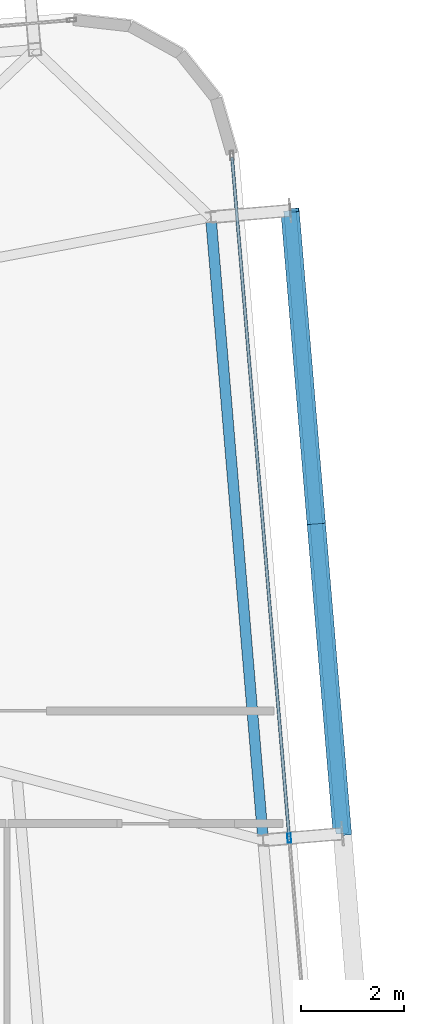
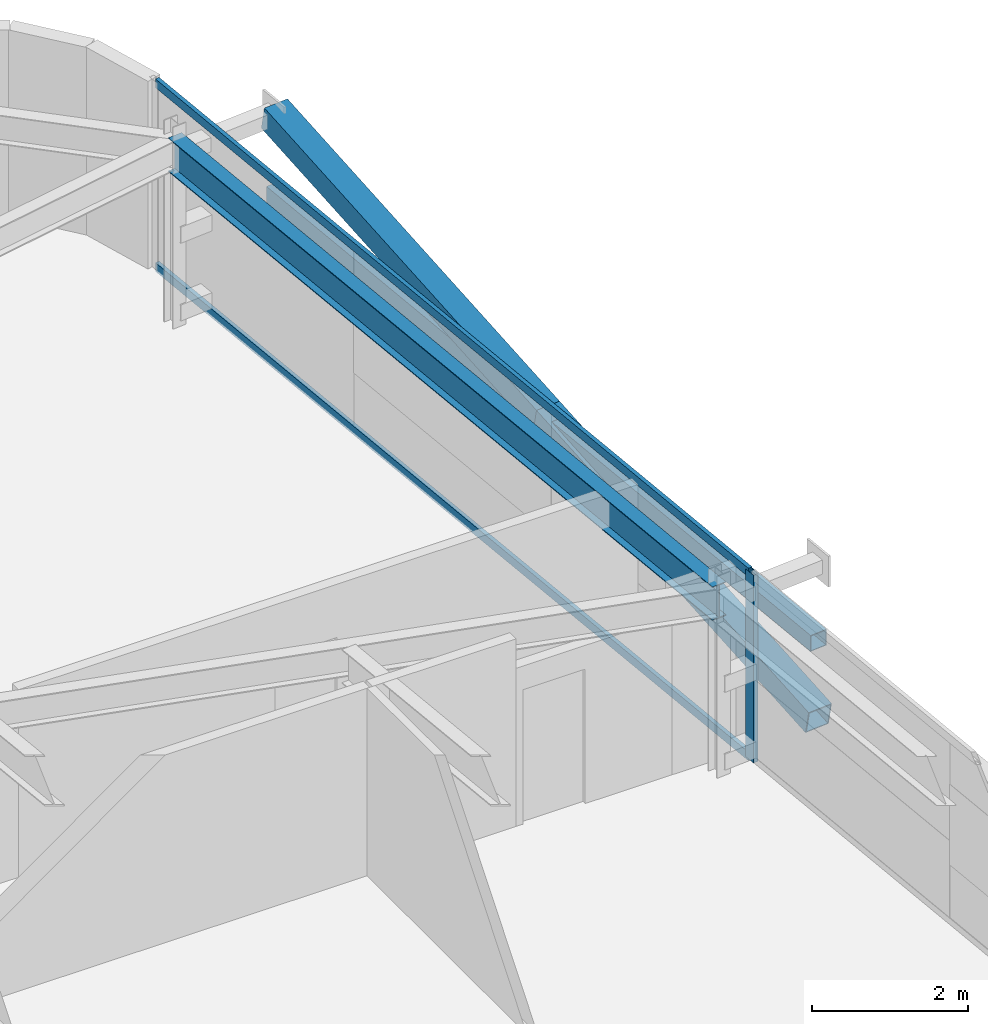
# One storey, part 20 of 37: 6 members, 1 beam, 1 element without a shape of its own.
"""IFC4 building model written with IfcOpenShell, lengths in metres."""

from ifc_helpers import new_model, si_unit, direction, frame, origin, origin_2d, place, context, subcontext, project, spatial, hollow_rectangle, i_section, extrude, source, transform, mapped, material, layer, layer_set, material_profile, profile_set, type_object, element, aggregate, save


model = new_model("IFC4")

# Units and contexts
model_context = context("Model", 3, precision=1e-05, world=origin(), true_north=direction((0.0, 1.0)))
body_context = subcontext(model_context, "Body", "Model", "MODEL_VIEW")
ifc_project = project(units=[si_unit("LENGTHUNIT", "METRE"), si_unit("AREAUNIT", "SQUARE_METRE"), si_unit("VOLUMEUNIT", "CUBIC_METRE"), si_unit("PLANEANGLEUNIT", "RADIAN"), si_unit("MASSUNIT", "GRAM", prefix="KILO")], contexts=[model_context])

# Site, building, storey
site_placement = place(None, origin())
site = spatial("IfcSite", under=ifc_project, at=site_placement, CompositionType="ELEMENT")
building_placement = place(site_placement, origin())
building = spatial("IfcBuilding", under=site, at=building_placement, Name="Taldren Reach Tower", CompositionType="ELEMENT")
storey_placement = place(building_placement, frame((0.0, 0.0, 182.0)))
storey = spatial("IfcBuildingStorey", under=building, at=storey_placement, Name="L55", CompositionType="ELEMENT", Elevation=182.0)

# Beam
ifc_material_1 = material(Name="Steel Gr 350 (350PLUS)", Category="steel")
ifc_material_profile_1 = material_profile(ifc_material_1, i_section(OverallWidth=0.208984375, OverallDepth=0.528076171875, WebThickness=0.009521484375, FlangeThickness=0.01318359375, at=origin_2d()), Name="530UB82.0")
ifc_profile_set_1 = profile_set([ifc_material_profile_1], Name="Steel Gr 350 (350PLUS)")
beam_type = type_object("IfcBeamType", Name="SP-UB530B", PredefinedType="SPANDREL", material=ifc_profile_set_1)
shared_shape_1 = source(origin(), body_context, "Body", "SweptSolid", [
    extrude(i_section(OverallWidth=0.208984375, OverallDepth=0.528076171875, WebThickness=0.009521484375, FlangeThickness=0.01318359375, at=origin_2d()), origin(), (0.0, 0.0, 1.0), 12.199951171875),
])
beam_placement = place(storey_placement, frame((60.6171875, 21.474853515625, 2.666015625), z_axis=(-0.083668166953, 0.99649367175, 0.0), x_axis=(-0.99649367175, -0.083668166953, 0.0)))
element("IfcBeam", 1, at=beam_placement, inside=storey, type_object=beam_type, Name="Perimeter spandrel B4 E2-E3 L55", PredefinedType="SPANDREL", context=body_context, shape_type="MappedRepresentation", body=[
    mapped(shared_shape_1, transform((0.0, 0.0, 0.0), scale=1.0)),
])

# Members
ifc_material_2 = material(Name="Steel Gr 350 (C350L0)", Category="steel")
ifc_material_profile_2 = material_profile(ifc_material_2, hollow_rectangle(XDim=0.25, YDim=0.25, WallThickness=0.010009765625, at=origin_2d()), Name="250x250x10.0SHS")
ifc_profile_set_2 = profile_set([ifc_material_profile_2], Name="Steel Gr 350 (C350L0)")
member_type_1 = type_object("IfcMemberType", Name="MB-POST250", PredefinedType="POST", material=ifc_profile_set_2)
shared_shape_2 = source(origin(), body_context, "Body", "SweptSolid", [
    extrude(hollow_rectangle(XDim=0.25, YDim=0.25, WallThickness=0.010009765625, at=origin_2d()), origin(), (0.0, 0.0, 1.0), 12.199951171875),
])
member_1_placement = place(storey_placement, frame((62.161865234375, 21.6044921875, 1.43505859375), z_axis=(-0.083688038336, 0.996492003099, 0.0), x_axis=(-0.996492003099, -0.083688038336, 0.0)))
element("IfcMember", 2, at=member_1_placement, inside=storey, type_object=member_type_1, Name="Exoskeleton mid-height ring chord B4-E2 L55", PredefinedType="POST", context=body_context, shape_type="MappedRepresentation", body=[
    mapped(shared_shape_2, transform((0.0, 0.0, 0.0), scale=1.0)),
])
ifc_material_3 = material(Name="Steel Gr 450 (C450L0)", Category="steel")
ifc_material_profile_3 = material_profile(ifc_material_3, hollow_rectangle(XDim=0.360107421875, YDim=0.360107421875, WallThickness=0.0126953125, at=origin_2d()), Name="360x360x12.7SHS")
ifc_profile_set_3 = profile_set([ifc_material_profile_3], Name="Steel Gr 450 (C450L0)")
member_type_2 = type_object("IfcMemberType", Name="MB-EXO356", PredefinedType="BRACE", material=ifc_profile_set_3)
shared_shape_3 = source(origin(), body_context, "Body", "SweptSolid", [
    extrude(hollow_rectangle(XDim=0.360107421875, YDim=0.360107421875, WallThickness=0.0126953125, at=origin_2d()), origin(), (0.0, 0.0, 1.0), 6.219970703125),
])
member_2_placement = place(storey_placement, frame((62.161865234375, 21.6044921875, 0.219970703125), z_axis=(-0.082075564879, 0.977291924611, 0.195356330179), x_axis=(-0.996492003099, -0.083688038336, 0.0)))
element("IfcMember", 3, at=member_2_placement, inside=storey, type_object=member_type_2, Name="Exoskeleton Diagrid Brace B4-E2 L55", PredefinedType="BRACE", context=body_context, shape_type="MappedRepresentation", body=[
    mapped(shared_shape_3, transform((0.0, 0.0, 0.0), scale=1.0)),
])
shared_shape_4 = source(origin(), body_context, "Body", "SweptSolid", [
    extrude(hollow_rectangle(XDim=0.360107421875, YDim=0.360107421875, WallThickness=0.0126953125, at=origin_2d()), origin(), (0.0, 0.0, 1.0), 6.2197265625),
])
member_3_placement = place(storey_placement, frame((61.6513671875, 27.68310546875, 1.43505859375), z_axis=(-0.082076194186, 0.977299417909, 0.19531857593), x_axis=(-0.996492003099, -0.083688038336, 0.0)))
element("IfcMember", 4, at=member_3_placement, inside=storey, type_object=member_type_2, Name="Exoskeleton Diagrid Brace B4-E2 L55", PredefinedType="BRACE", context=body_context, shape_type="MappedRepresentation", body=[
    mapped(shared_shape_4, transform((0.0, 0.0, 0.0), scale=1.0)),
])

# Curtain wall, members
ifc_material_4 = material(Name="Aluminium and Low-E Glass Unitised System", Category="aluminium")
ifc_layer = layer(ifc_material_4, 0.159912109375)
ifc_layer_set = layer_set([ifc_layer], Name="Aluminium and Low-E Glass Unitised System")
curtain_wall_type = type_object("IfcCurtainWallType", Name="CW-SYS-5", PredefinedType="NOTDEFINED", material=ifc_layer_set)
curtain_wall_placement = place(storey_placement, origin())
curtain_wall = element("IfcCurtainWall", 5, at=curtain_wall_placement, inside=storey, type_object=curtain_wall_type, Name="Unitised curtain wall CW-L55-E", PredefinedType="NOTDEFINED")
ifc_material_5 = material(Name="Anodised Aluminium 6063-T6", Category="aluminium")
ifc_material_profile_4 = material_profile(ifc_material_5, hollow_rectangle(XDim=0.070068359375, YDim=0.179931640625, WallThickness=0.00390625, at=origin_2d()), Name="ALU-180x70x4RHS")
ifc_profile_set_4 = profile_set([ifc_material_profile_4], Name="Anodised Aluminium 6063-T6")
member_type_3 = type_object("IfcMemberType", Name="CW-MUL-180", PredefinedType="MULLION", material=ifc_profile_set_4)
shared_shape_5 = source(origin(), body_context, "Body", "SweptSolid", [
    extrude(hollow_rectangle(XDim=0.070068359375, YDim=0.179931640625, WallThickness=0.00390625, at=origin_2d()), origin(), (0.0, 0.0, 1.0), 2.929931640625),
])
member_4_placement = place(storey_placement, frame((61.12548828125, 21.517578125, 0.0), z_axis=(0.0, 0.0, 1.0), x_axis=(-0.996492847789, -0.083677979808, 0.0)))
member_4 = element("IfcMember", 6, at=member_4_placement, type_object=member_type_3, Name="CW-5 mullion 2", PredefinedType="MULLION", context=body_context, shape_type="MappedRepresentation", body=[
    mapped(shared_shape_5, transform((0.0, 0.0, 0.0), scale=1.0)),
])
ifc_material_profile_5 = material_profile(ifc_material_5, hollow_rectangle(XDim=0.06005859375, YDim=0.135009765625, WallThickness=0.00341796875, at=origin_2d()), Name="ALU-135x60x3.5RHS")
ifc_profile_set_5 = profile_set([ifc_material_profile_5], Name="Anodised Aluminium 6063-T6")
member_type_4 = type_object("IfcMemberType", Name="CW-TRN-150", PredefinedType="USERDEFINED", material=ifc_profile_set_5)
shared_shape_6 = source(origin(), body_context, "Body", "SweptSolid", [
    extrude(hollow_rectangle(XDim=0.06005859375, YDim=0.135009765625, WallThickness=0.00341796875, at=origin_2d()), origin(), (0.0, 0.0, 1.0), 13.295166015625),
])
member_5_placement = place(storey_placement, frame((61.12255859375, 21.55224609375, 0.030029296875), z_axis=(-0.083680700004, 0.996492619364, 0.0), x_axis=(-0.996492619364, -0.083680700004, 0.0)))
member_5 = element("IfcMember", 7, at=member_5_placement, type_object=member_type_4, Name="CW-5 transom 2.1", ObjectType="TRANSOM", PredefinedType="USERDEFINED", context=body_context, shape_type="MappedRepresentation", body=[
    mapped(shared_shape_6, transform((0.0, 0.0, 0.0), scale=1.0)),
])
member_6_placement = place(storey_placement, frame((61.12255859375, 21.55224609375, 2.89990234375), z_axis=(-0.083680700004, 0.996492619364, 0.0), x_axis=(-0.996492619364, -0.083680700004, 0.0)))
member_6 = element("IfcMember", 8, at=member_6_placement, type_object=member_type_4, Name="CW-5 transom 2.2", ObjectType="TRANSOM", PredefinedType="USERDEFINED", context=body_context, shape_type="MappedRepresentation", body=[
    mapped(shared_shape_6, transform((0.0, 0.0, 0.0), scale=1.0)),
])
aggregate(curtain_wall, [member_4, member_5, member_6])

save(model, "model.ifc")
